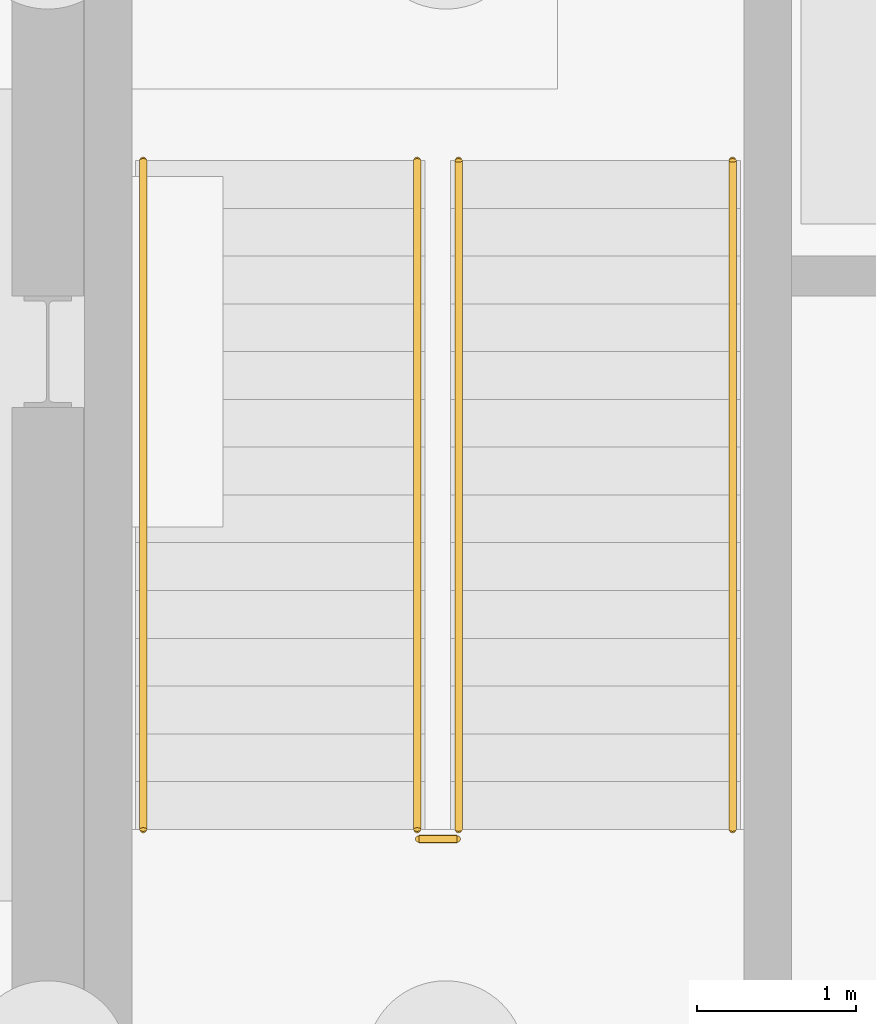
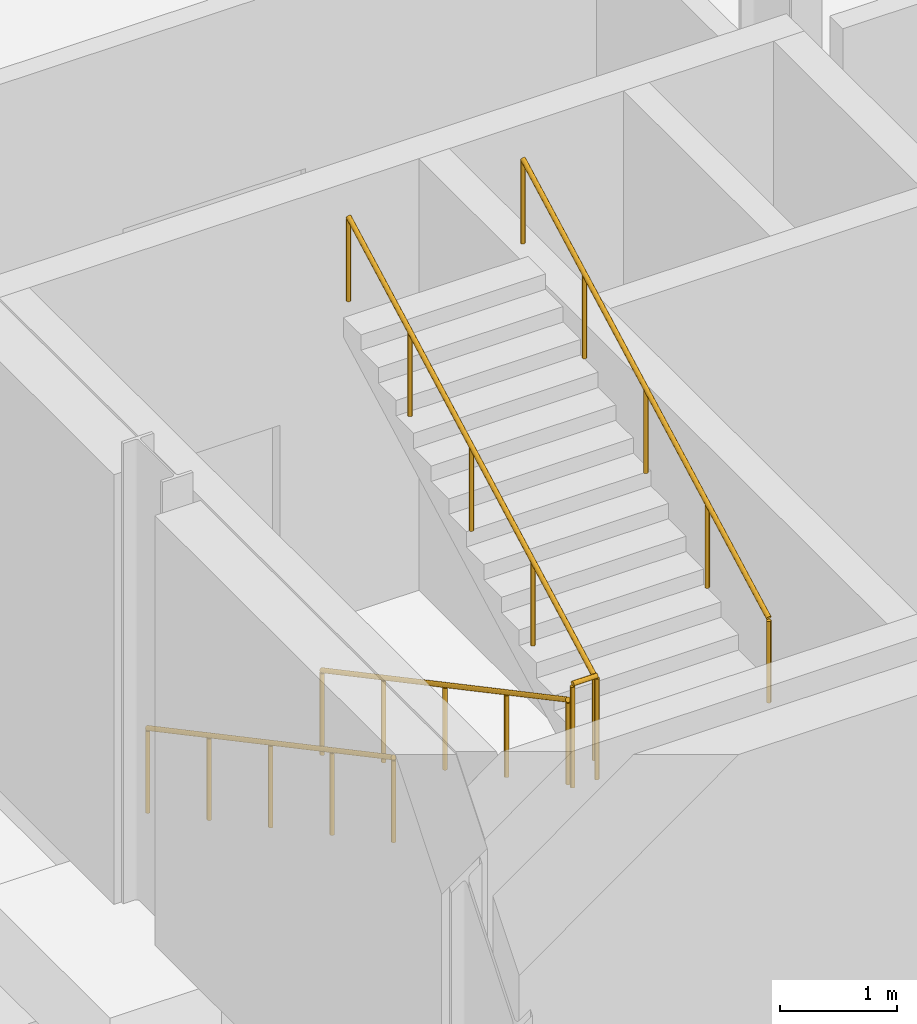
# One storey, part 25 of 29: 5 railings.
"""IFC4 building model written with IfcOpenShell, lengths in metres."""

from ifc_helpers import new_model, si_unit, direction, frame, origin, origin_2d, place, context, subcontext, project, spatial, circle, extrude, material, type_object, element, save


model = new_model("IFC4")

# Units and contexts
model_context = context("Model", 3, precision=1e-05, world=origin(), true_north=direction((0.0, 1.0)))
body_context = subcontext(model_context, "Body", "Model", "MODEL_VIEW")
ifc_project = project(units=[si_unit("LENGTHUNIT", "METRE"), si_unit("AREAUNIT", "SQUARE_METRE"), si_unit("VOLUMEUNIT", "CUBIC_METRE"), si_unit("PLANEANGLEUNIT", "RADIAN"), si_unit("MASSUNIT", "GRAM", prefix="KILO")], contexts=[model_context])

# Site, building, storey
site_placement = place(None, origin())
site = spatial("IfcSite", under=ifc_project, at=site_placement, CompositionType="ELEMENT")
building_placement = place(site_placement, origin())
building = spatial("IfcBuilding", under=site, at=building_placement, Name="Veltarok Museum of Natural Sciences", CompositionType="ELEMENT")
storey_placement = place(building_placement, frame((0.0, 0.0, -4.800048828125)))
storey = spatial("IfcBuildingStorey", under=building, at=storey_placement, Name="B1", CompositionType="ELEMENT", Elevation=-4.800048828125)

# Railings
ifc_material = material(Name="Steel S355J2", Category="steel")
railing_type_1 = type_object("IfcRailingType", Name="Interior Atrium and Stairwell Guardrail 1100", PredefinedType="GUARDRAIL", material=ifc_material)
railing_placement = place(storey_placement, frame((33.929931640625, 2.639892578125, 2.400146484375)))
element("IfcRailing", 1, at=railing_placement, inside=storey, type_object=railing_type_1, Name="Landing Well Guard ST-01-B1-L1", PredefinedType="GUARDRAIL", context=body_context, shape_type="SweptSolid", body=[
    extrude(circle(Radius=0.02392578125, at=origin_2d()), frame((0.0, 0.0, 1.076171875), z_axis=(1.0, 0.0, 0.0), x_axis=(0.0, 1.0, 0.0)), (0.0, 0.0, 1.0), 0.239990234375),
    extrude(circle(Radius=0.02099609375, at=origin_2d()), origin(), (0.0, 0.0, 1.0), 1.052001953125),
    extrude(circle(Radius=0.02099609375, at=origin_2d()), frame((0.239990234375, 0.0, 0.0)), (0.0, 0.0, 1.0), 1.052001953125),
])
railing_type_2 = type_object("IfcRailingType", Name="Stair Flight Tubular Steel Handrail 900", PredefinedType="HANDRAIL", material=ifc_material)
for number, where, name in (
    (2, (32.199951171875, 6.89990234375, 0.16015625), "Stair Handrail ST-01-B1-F1L"),
    (3, (33.919921875, 6.89990234375, 0.16015625), "Stair Handrail ST-01-B1-F1R"),
):
    element("IfcRailing", number, at=place(storey_placement, frame(where)), inside=storey, type_object=railing_type_2, Name=name, PredefinedType="HANDRAIL", context=body_context, shape_type="SweptSolid", body=[
        extrude(circle(Radius=0.02392578125, at=origin_2d()), frame((0.0, 0.0, 0.8759765625), z_axis=(0.0, -0.882351521365, 0.470590897432), x_axis=(1.0, 0.0, 0.0)), (0.0, 0.0, 1.0), 4.760009765625),
        extrude(circle(Radius=0.02099609375, at=origin_2d()), origin(), (0.0, 0.0, 1.0), 0.851806640625),
        extrude(circle(Radius=0.02099609375, at=origin_2d()), frame((0.0, -1.050048828125, 0.56005859375)), (0.0, 0.0, 1.0), 0.851806640625),
        extrude(circle(Radius=0.02099609375, at=origin_2d()), frame((0.0, -2.10009765625, 1.1201171875)), (0.0, 0.0, 1.0), 0.851806640625),
        extrude(circle(Radius=0.02099609375, at=origin_2d()), frame((0.0, -3.14990234375, 1.679931640625)), (0.0, 0.0, 1.0), 0.851806640625),
        extrude(circle(Radius=0.02099609375, at=origin_2d()), frame((0.0, -4.199951171875, 2.239990234375)), (0.0, 0.0, 1.0), 0.851806640625),
    ])
for number, where, name in (
    (4, (34.179931640625, 2.699951171875, 2.56005859375), "Stair Handrail ST-01-B1-F2L"),
    (5, (35.89990234375, 2.699951171875, 2.56005859375), "Stair Handrail ST-01-B1-F2R"),
):
    element("IfcRailing", number, at=place(storey_placement, frame(where)), inside=storey, type_object=railing_type_2, Name=name, PredefinedType="HANDRAIL", context=body_context, shape_type="SweptSolid", body=[
        extrude(circle(Radius=0.02392578125, at=origin_2d()), frame((0.0, 0.0, 0.8759765625), z_axis=(0.0, 0.882351521365, 0.470590897432), x_axis=(-1.0, 0.0, 0.0)), (0.0, 0.0, 1.0), 4.760009765625),
        extrude(circle(Radius=0.02099609375, at=origin_2d()), origin(), (0.0, 0.0, 1.0), 0.851806640625),
        extrude(circle(Radius=0.02099609375, at=origin_2d()), frame((0.0, 1.050048828125, 0.56005859375)), (0.0, 0.0, 1.0), 0.851806640625),
        extrude(circle(Radius=0.02099609375, at=origin_2d()), frame((0.0, 2.10009765625, 1.1201171875)), (0.0, 0.0, 1.0), 0.851806640625),
        extrude(circle(Radius=0.02099609375, at=origin_2d()), frame((0.0, 3.14990234375, 1.679931640625)), (0.0, 0.0, 1.0), 0.851806640625),
        extrude(circle(Radius=0.02099609375, at=origin_2d()), frame((0.0, 4.199951171875, 2.239990234375)), (0.0, 0.0, 1.0), 0.851806640625),
    ])

save(model, "model.ifc")
